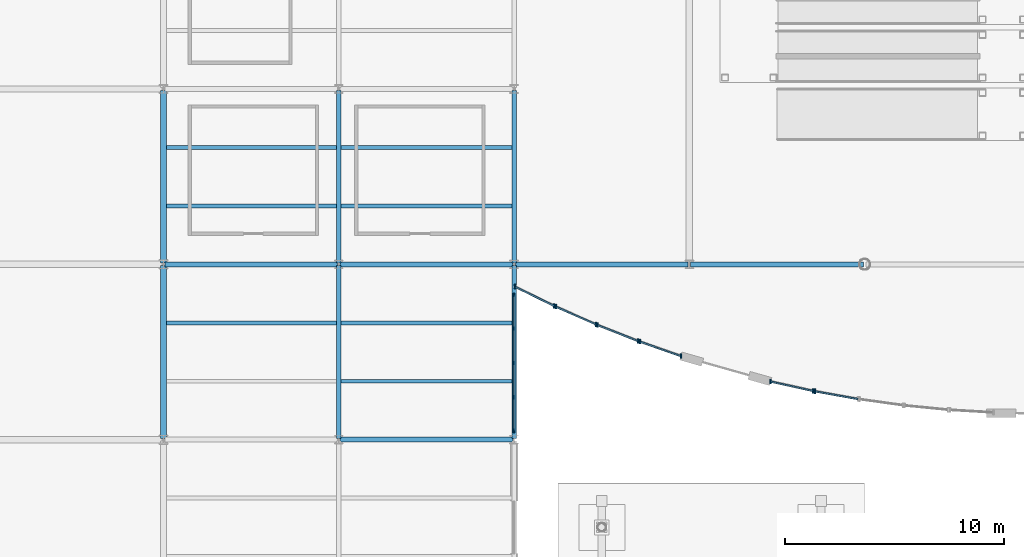
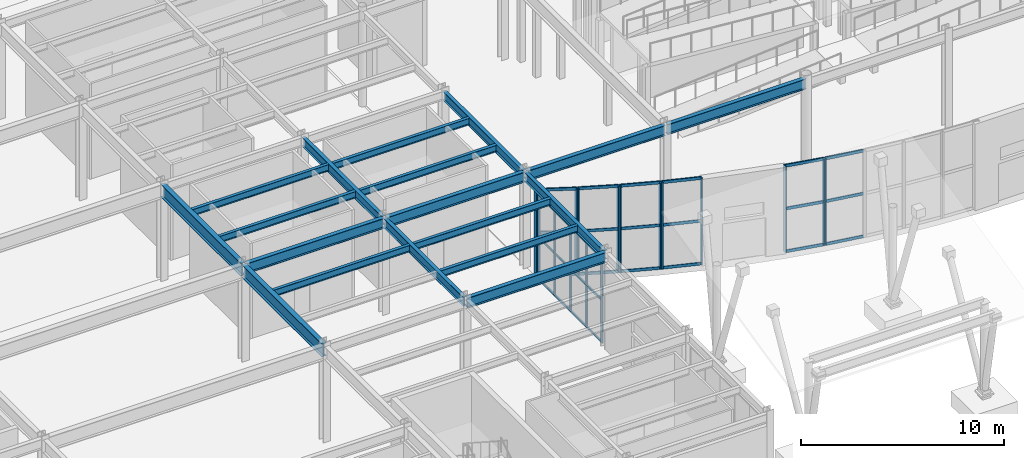
# One storey, part 30 of 82: 37 members, 18 beams, 7 elements without a shape of their own.
"""IFC4 building model written with IfcOpenShell, lengths in metres."""

from ifc_helpers import new_model, si_unit, direction, frame, origin, origin_2d, place, context, subcontext, project, spatial, rectangle, i_section, extrude, material, material_profile, profile_set, type_object, element, aggregate, save


model = new_model("IFC4")

# Units and contexts
model_context = context("Model", 3, precision=1e-05, world=origin(), true_north=direction((0.0, 1.0)))
body_context = subcontext(model_context, "Body", "Model", "MODEL_VIEW")
ifc_project = project(units=[si_unit("LENGTHUNIT", "METRE"), si_unit("AREAUNIT", "SQUARE_METRE"), si_unit("VOLUMEUNIT", "CUBIC_METRE"), si_unit("PLANEANGLEUNIT", "RADIAN"), si_unit("MASSUNIT", "GRAM", prefix="KILO")], contexts=[model_context])

# Site, building, storey
site_placement = place(None, origin())
site = spatial("IfcSite", under=ifc_project, at=site_placement, CompositionType="ELEMENT")
building_placement = place(site_placement, origin())
building = spatial("IfcBuilding", under=site, at=building_placement, Name="Drelvath Fold Interchange", CompositionType="ELEMENT")
storey_placement = place(building_placement, origin())
storey = spatial("IfcBuildingStorey", under=building, at=storey_placement, Name="L00", CompositionType="ELEMENT", Elevation=0.0)

# Beams
ifc_material_1 = material(Name="Steel ASTM A992 Grade 50", Category="steel")
ifc_material_profile_1 = material_profile(ifc_material_1, i_section(OverallWidth=0.177978515625, OverallDepth=0.403076171875, WebThickness=0.007568359375, FlangeThickness=0.010986328125, at=origin_2d()), Name="W16X36")
ifc_profile_set_1 = profile_set([ifc_material_profile_1], Name="Steel ASTM A992 Grade 50")
beam_type_1 = type_object("IfcBeamType", Name="BM-W16X36", PredefinedType="JOIST", material=ifc_profile_set_1)
for number, where, z_axis, x_axis, name in (
    (1, (36.131103515625, 24.3330078125, 5.55810546875), (1.0, 0.0, 0.0), (0.0, 1.0, 0.0), "L00 Secondary floor joist BM-W16X36"),
    (2, (36.131103515625, 29.6669921875, 5.55810546875), (1.0, 0.0, 0.0), (0.0, 1.0, 0.0), "L00 Secondary floor joist BM-W16X36"),
    (3, (36.131103515625, 32.3330078125, 5.55810546875), (1.0, 0.0, 0.0), (0.0, 1.0, 0.0), "L00 Secondary floor joist BM-W16X36"),
):
    element("IfcBeam", number, at=place(storey_placement, frame(where, z_axis=z_axis, x_axis=x_axis)), inside=storey, type_object=beam_type_1, Name=name, PredefinedType="JOIST", context=body_context, shape_type="SweptSolid", body=[
        extrude(i_section(OverallWidth=0.177978515625, OverallDepth=0.403076171875, WebThickness=0.007568359375, FlangeThickness=0.010986328125, at=origin_2d()), origin(), (0.0, 0.0, 1.0), 7.765869140625),
    ])
for number, where, z_axis, x_axis, name in (
    (4, (44.10302734375, 21.6669921875, 5.55810546875), (1.0, 0.0, 0.0), (0.0, 1.0, 0.0), "L00 Secondary floor joist BM-W16X36"),
    (5, (44.10302734375, 24.3330078125, 5.55810546875), (1.0, 0.0, 0.0), (0.0, 1.0, 0.0), "L00 Secondary floor joist BM-W16X36"),
    (6, (44.10302734375, 29.6669921875, 5.5380859375), (1.0, 0.0, 0.0), (0.0, 1.0, 0.0), "L00 Secondary floor joist BM-W16X36"),
    (7, (44.10302734375, 32.3330078125, 5.5380859375), (1.0, 0.0, 0.0), (0.0, 1.0, 0.0), "L00 Secondary floor joist BM-W16X36"),
):
    element("IfcBeam", number, at=place(storey_placement, frame(where, z_axis=z_axis, x_axis=x_axis)), inside=storey, type_object=beam_type_1, Name=name, PredefinedType="JOIST", context=body_context, shape_type="SweptSolid", body=[
        extrude(i_section(OverallWidth=0.177978515625, OverallDepth=0.403076171875, WebThickness=0.007568359375, FlangeThickness=0.010986328125, at=origin_2d()), origin(), (0.0, 0.0, 1.0), 7.7939453125),
    ])
ifc_material_profile_2 = material_profile(ifc_material_1, i_section(OverallWidth=0.2099609375, OverallDepth=0.537109375, WebThickness=0.010986328125, FlangeThickness=0.017333984375, at=origin_2d()), Name="W21X68")
ifc_profile_set_2 = profile_set([ifc_material_profile_2], Name="Steel ASTM A992 Grade 50")
beam_type_2 = type_object("IfcBeamType", Name="BM-W21X68", PredefinedType="SPANDREL", material=ifc_profile_set_2)
for number, where, z_axis, x_axis, name in (
    (8, (44.0, 19.06005859375, 5.490966796875), (0.0, 1.0, 0.0), (-1.0, 0.0, 0.0), "L00 Primary Y girder BM-W21X68"),
    (9, (44.0, 27.06005859375, 5.490966796875), (0.0, 1.0, 0.0), (-1.0, 0.0, 0.0), "L00 Primary Y girder BM-W21X68"),
    (10, (52.0, 19.06005859375, 5.470947265625), (0.0, 1.0, 0.0), (-1.0, 0.0, 0.0), "L00 Primary Y girder BM-W21X68"),
    (11, (52.0, 27.06005859375, 5.470947265625), (0.0, 1.0, 0.0), (-1.0, 0.0, 0.0), "L00 Primary Y girder BM-W21X68"),
):
    element("IfcBeam", number, at=place(storey_placement, frame(where, z_axis=z_axis, x_axis=x_axis)), inside=storey, type_object=beam_type_2, Name=name, PredefinedType="SPANDREL", context=body_context, shape_type="SweptSolid", body=[
        extrude(i_section(OverallWidth=0.2099609375, OverallDepth=0.537109375, WebThickness=0.010986328125, FlangeThickness=0.017333984375, at=origin_2d()), origin(), (0.0, 0.0, 1.0), 7.8798828125),
    ])
ifc_material_profile_3 = material_profile(ifc_material_1, i_section(OverallWidth=0.22998046875, OverallDepth=0.616943359375, WebThickness=0.01318359375, FlangeThickness=0.022216796875, at=origin_2d()), Name="W24X94")
ifc_profile_set_3 = profile_set([ifc_material_profile_3], Name="Steel ASTM A992 Grade 50")
beam_type_3 = type_object("IfcBeamType", Name="BM-W24X94", PredefinedType="BEAM", material=ifc_profile_set_3)
for number, where, z_axis, x_axis, name in (
    (12, (44.06005859375, 19.0, 5.450927734375), (1.0, 0.0, 0.0), (0.0, 1.0, 0.0), "L00 Primary X girder BM-W24X94"),
    (13, (36.06005859375, 27.0, 5.450927734375), (1.0, 0.0, 0.0), (0.0, 1.0, 0.0), "L00 Primary X girder BM-W24X94"),
    (14, (44.06005859375, 27.0, 5.430908203125), (1.0, 0.0, 0.0), (0.0, 1.0, 0.0), "L00 Primary X girder BM-W24X94"),
    (15, (52.06005859375, 27.0, 5.430908203125), (1.0, 0.0, 0.0), (0.0, 1.0, 0.0), "L00 Primary X girder BM-W24X94"),
    (16, (60.06005859375, 27.0, 5.430908203125), (1.0, 0.0, 0.0), (0.0, 1.0, 0.0), "L00 Primary X girder BM-W24X94"),
):
    element("IfcBeam", number, at=place(storey_placement, frame(where, z_axis=z_axis, x_axis=x_axis)), inside=storey, type_object=beam_type_3, Name=name, PredefinedType="BEAM", context=body_context, shape_type="SweptSolid", body=[
        extrude(i_section(OverallWidth=0.22998046875, OverallDepth=0.616943359375, WebThickness=0.01318359375, FlangeThickness=0.022216796875, at=origin_2d()), origin(), (0.0, 0.0, 1.0), 7.8798828125),
    ])
ifc_material_profile_4 = material_profile(ifc_material_1, i_section(OverallWidth=0.26611328125, OverallDepth=0.779052734375, WebThickness=0.0166015625, FlangeThickness=0.030029296875, at=origin_2d()), Name="W30X148")
ifc_profile_set_4 = profile_set([ifc_material_profile_4], Name="Steel ASTM A992 Grade 50")
beam_type_4 = type_object("IfcBeamType", Name="BM-W30X148", PredefinedType="BEAM", material=ifc_profile_set_4)
for number, where, z_axis, x_axis, name in (
    (17, (36.0, 19.06005859375, 5.3701171875), (0.0, 1.0, 0.0), (-1.0, 0.0, 0.0), "L00 Primary Y girder BM-W30X148"),
    (18, (36.0, 27.06005859375, 5.3701171875), (0.0, 1.0, 0.0), (-1.0, 0.0, 0.0), "L00 Primary Y girder BM-W30X148"),
):
    element("IfcBeam", number, at=place(storey_placement, frame(where, z_axis=z_axis, x_axis=x_axis)), inside=storey, type_object=beam_type_4, Name=name, PredefinedType="BEAM", context=body_context, shape_type="SweptSolid", body=[
        extrude(i_section(OverallWidth=0.26611328125, OverallDepth=0.779052734375, WebThickness=0.0166015625, FlangeThickness=0.030029296875, at=origin_2d()), origin(), (0.0, 0.0, 1.0), 7.8798828125),
    ])

# Curtain wall, members
ifc_material_2 = material(Name="Anodized Aluminium 6063-T6", Category="aluminium")
curtain_wall_type_1 = type_object("IfcCurtainWallType", Name="CW-OPS-L00", PredefinedType="USERDEFINED", material=ifc_material_2)
curtain_wall_1_placement = place(storey_placement, origin())
curtain_wall_1 = element("IfcCurtainWall", 19, at=curtain_wall_1_placement, inside=storey, type_object=curtain_wall_type_1, Name="Curtain wall CW-V5-L00-E19", ObjectType="UNITISED CURTAIN WALL", PredefinedType="USERDEFINED")
ifc_material_profile_5 = material_profile(ifc_material_2, rectangle(XDim=0.06005859375, YDim=0.175048828125, at=origin_2d()), Name="AL-M 60x175")
ifc_profile_set_5 = profile_set([ifc_material_profile_5], Name="Anodized Aluminium 6063-T6")
member_type_1 = type_object("IfcMemberType", Name="ML-175", PredefinedType="MULLION", material=ifc_profile_set_5)
member_1_placement = place(storey_placement, frame((52.0, 19.39990234375, 0.0), z_axis=(0.0, 0.0, 1.0), x_axis=(1.0, 0.0, 0.0)))
member_1 = element("IfcMember", 20, at=member_1_placement, type_object=member_type_1, Name="CW-V5-L00-E19 mullion 0", PredefinedType="MULLION", context=body_context, shape_type="SweptSolid", body=[
    extrude(rectangle(XDim=0.06005859375, YDim=0.175048828125, at=origin_2d()), origin(), (0.0, 0.0, 1.0), 5.10009765625),
])
member_2_placement = place(storey_placement, frame((52.0, 20.929931640625, 0.0), z_axis=(0.0, 0.0, 1.0), x_axis=(1.0, 0.0, 0.0)))
member_2 = element("IfcMember", 21, at=member_2_placement, type_object=member_type_1, Name="CW-V5-L00-E19 mullion 1", PredefinedType="MULLION", context=body_context, shape_type="SweptSolid", body=[
    extrude(rectangle(XDim=0.06005859375, YDim=0.175048828125, at=origin_2d()), origin(), (0.0, 0.0, 1.0), 5.10009765625),
])
member_3_placement = place(storey_placement, frame((52.0, 22.5, 0.0), z_axis=(0.0, 0.0, 1.0), x_axis=(1.0, 0.0, 0.0)))
member_3 = element("IfcMember", 22, at=member_3_placement, type_object=member_type_1, Name="CW-V5-L00-E19 mullion 2", PredefinedType="MULLION", context=body_context, shape_type="SweptSolid", body=[
    extrude(rectangle(XDim=0.06005859375, YDim=0.175048828125, at=origin_2d()), origin(), (0.0, 0.0, 1.0), 5.10009765625),
])
member_4_placement = place(storey_placement, frame((52.0, 24.070068359375, 0.0), z_axis=(0.0, 0.0, 1.0), x_axis=(1.0, 0.0, 0.0)))
member_4 = element("IfcMember", 23, at=member_4_placement, type_object=member_type_1, Name="CW-V5-L00-E19 mullion 3", PredefinedType="MULLION", context=body_context, shape_type="SweptSolid", body=[
    extrude(rectangle(XDim=0.06005859375, YDim=0.175048828125, at=origin_2d()), origin(), (0.0, 0.0, 1.0), 5.10009765625),
])
member_5_placement = place(storey_placement, frame((52.0, 25.60009765625, 0.0), z_axis=(0.0, 0.0, 1.0), x_axis=(1.0, 0.0, 0.0)))
member_5 = element("IfcMember", 24, at=member_5_placement, type_object=member_type_1, Name="CW-V5-L00-E19 mullion 4", PredefinedType="MULLION", context=body_context, shape_type="SweptSolid", body=[
    extrude(rectangle(XDim=0.06005859375, YDim=0.175048828125, at=origin_2d()), origin(), (0.0, 0.0, 1.0), 5.10009765625),
])

curtain_wall_type_2 = type_object("IfcCurtainWallType", Name="CW-ARC-L00", PredefinedType="USERDEFINED", material=ifc_material_2)
curtain_wall_2_placement = place(storey_placement, origin())
curtain_wall_2 = element("IfcCurtainWall", 25, at=curtain_wall_2_placement, inside=storey, type_object=curtain_wall_type_2, Name="Curtain wall CW-WH-L00-00", ObjectType="UNITISED CURTAIN WALL", PredefinedType="USERDEFINED")
ifc_material_profile_6 = material_profile(ifc_material_2, rectangle(XDim=0.070068359375, YDim=0.2099609375, at=origin_2d()), Name="AL-M 70x210")
ifc_profile_set_6 = profile_set([ifc_material_profile_6], Name="Anodized Aluminium 6063-T6")
member_type_2 = type_object("IfcMemberType", Name="ML-210", PredefinedType="MULLION", material=ifc_profile_set_6)
member_6_placement = place(storey_placement, frame((52.035888671875, 25.98193359375, 0.0), z_axis=(0.0, 0.0, 1.0), x_axis=(1.0, 0.0, 0.0)))
member_6 = element("IfcMember", 26, at=member_6_placement, type_object=member_type_2, Name="CW-WH-L00-00 mullion 0", PredefinedType="MULLION", context=body_context, shape_type="SweptSolid", body=[
    extrude(rectangle(XDim=0.070068359375, YDim=0.2099609375, at=origin_2d()), origin(), (0.0, 0.0, 1.0), 5.199951171875),
])
member_7_placement = place(storey_placement, frame((53.830078125, 25.10498046875, 0.0), z_axis=(0.0, 0.0, 1.0), x_axis=(1.0, 0.0, 0.0)))
member_7 = element("IfcMember", 27, at=member_7_placement, type_object=member_type_2, Name="CW-WH-L00-00 mullion 1", PredefinedType="MULLION", context=body_context, shape_type="SweptSolid", body=[
    extrude(rectangle(XDim=0.070068359375, YDim=0.2099609375, at=origin_2d()), origin(), (0.0, 0.0, 1.0), 5.199951171875),
])

curtain_wall_3_placement = place(storey_placement, origin())
curtain_wall_3 = element("IfcCurtainWall", 28, at=curtain_wall_3_placement, inside=storey, type_object=curtain_wall_type_2, Name="Curtain wall CW-WH-L00-01", ObjectType="UNITISED CURTAIN WALL", PredefinedType="USERDEFINED")
member_8_placement = place(storey_placement, frame((53.903076171875, 25.071044921875, 0.0), z_axis=(0.0, 0.0, 1.0), x_axis=(1.0, 0.0, 0.0)))
member_8 = element("IfcMember", 29, at=member_8_placement, type_object=member_type_2, Name="CW-WH-L00-01 mullion 0", PredefinedType="MULLION", context=body_context, shape_type="SweptSolid", body=[
    extrude(rectangle(XDim=0.070068359375, YDim=0.2099609375, at=origin_2d()), origin(), (0.0, 0.0, 1.0), 5.199951171875),
])
member_9_placement = place(storey_placement, frame((55.72900390625, 24.264892578125, 0.0), z_axis=(0.0, 0.0, 1.0), x_axis=(1.0, 0.0, 0.0)))
member_9 = element("IfcMember", 30, at=member_9_placement, type_object=member_type_2, Name="CW-WH-L00-01 mullion 1", PredefinedType="MULLION", context=body_context, shape_type="SweptSolid", body=[
    extrude(rectangle(XDim=0.070068359375, YDim=0.2099609375, at=origin_2d()), origin(), (0.0, 0.0, 1.0), 5.199951171875),
])

curtain_wall_4_placement = place(storey_placement, origin())
curtain_wall_4 = element("IfcCurtainWall", 31, at=curtain_wall_4_placement, inside=storey, type_object=curtain_wall_type_2, Name="Curtain wall CW-WH-L00-02", ObjectType="UNITISED CURTAIN WALL", PredefinedType="USERDEFINED")
member_10_placement = place(storey_placement, frame((55.802978515625, 24.23388671875, 0.0), z_axis=(0.0, 0.0, 1.0), x_axis=(1.0, 0.0, 0.0)))
member_10 = element("IfcMember", 32, at=member_10_placement, type_object=member_type_2, Name="CW-WH-L00-02 mullion 0", PredefinedType="MULLION", context=body_context, shape_type="SweptSolid", body=[
    extrude(rectangle(XDim=0.070068359375, YDim=0.2099609375, at=origin_2d()), origin(), (0.0, 0.0, 1.0), 5.199951171875),
])
member_11_placement = place(storey_placement, frame((57.660888671875, 23.5009765625, 0.0), z_axis=(0.0, 0.0, 1.0), x_axis=(1.0, 0.0, 0.0)))
member_11 = element("IfcMember", 33, at=member_11_placement, type_object=member_type_2, Name="CW-WH-L00-02 mullion 1", PredefinedType="MULLION", context=body_context, shape_type="SweptSolid", body=[
    extrude(rectangle(XDim=0.070068359375, YDim=0.2099609375, at=origin_2d()), origin(), (0.0, 0.0, 1.0), 5.199951171875),
])

curtain_wall_5_placement = place(storey_placement, origin())
curtain_wall_5 = element("IfcCurtainWall", 34, at=curtain_wall_5_placement, inside=storey, type_object=curtain_wall_type_2, Name="Curtain wall CW-WH-L00-03", ObjectType="UNITISED CURTAIN WALL", PredefinedType="USERDEFINED")
member_12_placement = place(storey_placement, frame((57.736083984375, 23.472900390625, 0.0), z_axis=(0.0, 0.0, 1.0), x_axis=(1.0, 0.0, 0.0)))
member_12 = element("IfcMember", 35, at=member_12_placement, type_object=member_type_2, Name="CW-WH-L00-03 mullion 0", PredefinedType="MULLION", context=body_context, shape_type="SweptSolid", body=[
    extrude(rectangle(XDim=0.070068359375, YDim=0.2099609375, at=origin_2d()), origin(), (0.0, 0.0, 1.0), 5.199951171875),
])
member_13_placement = place(storey_placement, frame((59.62109375, 22.81396484375, 0.0), z_axis=(0.0, 0.0, 1.0), x_axis=(1.0, 0.0, 0.0)))
member_13 = element("IfcMember", 36, at=member_13_placement, type_object=member_type_2, Name="CW-WH-L00-03 mullion 1", PredefinedType="MULLION", context=body_context, shape_type="SweptSolid", body=[
    extrude(rectangle(XDim=0.070068359375, YDim=0.2099609375, at=origin_2d()), origin(), (0.0, 0.0, 1.0), 5.199951171875),
])

curtain_wall_6_placement = place(storey_placement, origin())
curtain_wall_6 = element("IfcCurtainWall", 37, at=curtain_wall_6_placement, inside=storey, type_object=curtain_wall_type_2, Name="Curtain wall CW-WH-L00-06", ObjectType="UNITISED CURTAIN WALL", PredefinedType="USERDEFINED")
member_14_placement = place(storey_placement, frame((63.693115234375, 21.656005859375, 0.0), z_axis=(0.0, 0.0, 1.0), x_axis=(1.0, 0.0, 0.0)))
member_14 = element("IfcMember", 38, at=member_14_placement, type_object=member_type_2, Name="CW-WH-L00-06 mullion 0", PredefinedType="MULLION", context=body_context, shape_type="SweptSolid", body=[
    extrude(rectangle(XDim=0.070068359375, YDim=0.2099609375, at=origin_2d()), origin(), (0.0, 0.0, 1.0), 5.199951171875),
])
member_15_placement = place(storey_placement, frame((65.64306640625, 21.22607421875, 0.0), z_axis=(0.0, 0.0, 1.0), x_axis=(1.0, 0.0, 0.0)))
member_15 = element("IfcMember", 39, at=member_15_placement, type_object=member_type_2, Name="CW-WH-L00-06 mullion 1", PredefinedType="MULLION", context=body_context, shape_type="SweptSolid", body=[
    extrude(rectangle(XDim=0.070068359375, YDim=0.2099609375, at=origin_2d()), origin(), (0.0, 0.0, 1.0), 5.199951171875),
])

# Curtain wall, member
curtain_wall_7_placement = place(storey_placement, origin())
curtain_wall_7 = element("IfcCurtainWall", 40, at=curtain_wall_7_placement, inside=storey, type_object=curtain_wall_type_2, Name="Curtain wall CW-WH-L00-07", ObjectType="UNITISED CURTAIN WALL", PredefinedType="USERDEFINED")
member_16_placement = place(storey_placement, frame((65.720947265625, 21.2099609375, 0.0), z_axis=(0.0, 0.0, 1.0), x_axis=(1.0, 0.0, 0.0)))
member_16 = element("IfcMember", 41, at=member_16_placement, type_object=member_type_2, Name="CW-WH-L00-07 mullion 0", PredefinedType="MULLION", context=body_context, shape_type="SweptSolid", body=[
    extrude(rectangle(XDim=0.070068359375, YDim=0.2099609375, at=origin_2d()), origin(), (0.0, 0.0, 1.0), 5.199951171875),
])

# Member
ifc_material_profile_7 = material_profile(ifc_material_2, rectangle(XDim=0.06005859375, YDim=0.139892578125, at=origin_2d()), Name="AL-T 60x140")
ifc_profile_set_7 = profile_set([ifc_material_profile_7], Name="Anodized Aluminium 6063-T6")
member_type_3 = type_object("IfcMemberType", Name="TR-140", PredefinedType="USERDEFINED", material=ifc_profile_set_7)
member_17_placement = place(storey_placement, frame((52.0, 19.39990234375, 0.030029296875), z_axis=(0.0, 1.0, 0.0), x_axis=(-1.0, 0.0, 0.0)))
member_17 = element("IfcMember", 42, at=member_17_placement, type_object=member_type_3, Name="CW-V5-L00-E19 transom 0", ObjectType="TRANSOM", PredefinedType="USERDEFINED", context=body_context, shape_type="SweptSolid", body=[
    extrude(rectangle(XDim=0.06005859375, YDim=0.139892578125, at=origin_2d()), origin(), (0.0, 0.0, 1.0), 6.2001953125),
])

member_18_placement = place(storey_placement, frame((52.0, 19.39990234375, 2.550048828125), z_axis=(0.0, 1.0, 0.0), x_axis=(-1.0, 0.0, 0.0)))
member_18 = element("IfcMember", 43, at=member_18_placement, type_object=member_type_3, Name="CW-V5-L00-E19 transom 1", ObjectType="TRANSOM", PredefinedType="USERDEFINED", context=body_context, shape_type="SweptSolid", body=[
    extrude(rectangle(XDim=0.06005859375, YDim=0.139892578125, at=origin_2d()), origin(), (0.0, 0.0, 1.0), 6.2001953125),
])

member_19_placement = place(storey_placement, frame((52.0, 19.39990234375, 5.070068359375), z_axis=(0.0, 1.0, 0.0), x_axis=(-1.0, 0.0, 0.0)))
member_19 = element("IfcMember", 44, at=member_19_placement, type_object=member_type_3, Name="CW-V5-L00-E19 transom 2", ObjectType="TRANSOM", PredefinedType="USERDEFINED", context=body_context, shape_type="SweptSolid", body=[
    extrude(rectangle(XDim=0.06005859375, YDim=0.139892578125, at=origin_2d()), origin(), (0.0, 0.0, 1.0), 6.2001953125),
])

aggregate(curtain_wall_1, [member_1, member_2, member_3, member_4, member_5, member_17, member_18, member_19])

ifc_material_profile_8 = material_profile(ifc_material_2, rectangle(XDim=0.070068359375, YDim=0.169921875, at=origin_2d()), Name="AL-T 70x170")
ifc_profile_set_8 = profile_set([ifc_material_profile_8], Name="Anodized Aluminium 6063-T6")
member_type_4 = type_object("IfcMemberType", Name="TR-170", PredefinedType="USERDEFINED", material=ifc_profile_set_8)
member_20_placement = place(storey_placement, frame((52.035888671875, 25.98193359375, 0.030029296875), z_axis=(0.89842509126, -0.439126810152, 0.0), x_axis=(0.439126810152, 0.89842509126, 0.0)))
member_20 = element("IfcMember", 45, at=member_20_placement, type_object=member_type_4, Name="CW-WH-L00-00 transom 0", ObjectType="TRANSOM", PredefinedType="USERDEFINED", context=body_context, shape_type="SweptSolid", body=[
    extrude(rectangle(XDim=0.070068359375, YDim=0.169921875, at=origin_2d()), origin(), (0.0, 0.0, 1.0), 1.9970703125),
])

member_21_placement = place(storey_placement, frame((52.035888671875, 25.98193359375, 2.60009765625), z_axis=(0.89842509126, -0.439126810152, 0.0), x_axis=(0.439126810152, 0.89842509126, 0.0)))
member_21 = element("IfcMember", 46, at=member_21_placement, type_object=member_type_4, Name="CW-WH-L00-00 transom 1", ObjectType="TRANSOM", PredefinedType="USERDEFINED", context=body_context, shape_type="SweptSolid", body=[
    extrude(rectangle(XDim=0.070068359375, YDim=0.169921875, at=origin_2d()), origin(), (0.0, 0.0, 1.0), 1.9970703125),
])

member_22_placement = place(storey_placement, frame((52.035888671875, 25.98193359375, 5.169921875), z_axis=(0.89842509126, -0.439126810152, 0.0), x_axis=(0.439126810152, 0.89842509126, 0.0)))
member_22 = element("IfcMember", 47, at=member_22_placement, type_object=member_type_4, Name="CW-WH-L00-00 transom 2", ObjectType="TRANSOM", PredefinedType="USERDEFINED", context=body_context, shape_type="SweptSolid", body=[
    extrude(rectangle(XDim=0.070068359375, YDim=0.169921875, at=origin_2d()), origin(), (0.0, 0.0, 1.0), 1.9970703125),
])

aggregate(curtain_wall_2, [member_6, member_7, member_20, member_21, member_22])

member_23_placement = place(storey_placement, frame((53.903076171875, 25.071044921875, 0.030029296875), z_axis=(0.914807496294, -0.403890139425, 0.0), x_axis=(0.403890139425, 0.914807496294, 0.0)))
member_23 = element("IfcMember", 48, at=member_23_placement, type_object=member_type_4, Name="CW-WH-L00-01 transom 0", ObjectType="TRANSOM", PredefinedType="USERDEFINED", context=body_context, shape_type="SweptSolid", body=[
    extrude(rectangle(XDim=0.070068359375, YDim=0.169921875, at=origin_2d()), origin(), (0.0, 0.0, 1.0), 1.995849609375),
])

member_24_placement = place(storey_placement, frame((53.903076171875, 25.071044921875, 2.60009765625), z_axis=(0.914807496294, -0.403890139425, 0.0), x_axis=(0.403890139425, 0.914807496294, 0.0)))
member_24 = element("IfcMember", 49, at=member_24_placement, type_object=member_type_4, Name="CW-WH-L00-01 transom 1", ObjectType="TRANSOM", PredefinedType="USERDEFINED", context=body_context, shape_type="SweptSolid", body=[
    extrude(rectangle(XDim=0.070068359375, YDim=0.169921875, at=origin_2d()), origin(), (0.0, 0.0, 1.0), 1.995849609375),
])

member_25_placement = place(storey_placement, frame((53.903076171875, 25.071044921875, 5.169921875), z_axis=(0.914807496294, -0.403890139425, 0.0), x_axis=(0.403890139425, 0.914807496294, 0.0)))
member_25 = element("IfcMember", 50, at=member_25_placement, type_object=member_type_4, Name="CW-WH-L00-01 transom 2", ObjectType="TRANSOM", PredefinedType="USERDEFINED", context=body_context, shape_type="SweptSolid", body=[
    extrude(rectangle(XDim=0.070068359375, YDim=0.169921875, at=origin_2d()), origin(), (0.0, 0.0, 1.0), 1.995849609375),
])

aggregate(curtain_wall_3, [member_8, member_9, member_23, member_24, member_25])

member_26_placement = place(storey_placement, frame((55.802978515625, 24.23388671875, 0.030029296875), z_axis=(0.930236495688, -0.366960572938, 0.0), x_axis=(0.366960572938, 0.930236495688, 0.0)))
member_26 = element("IfcMember", 51, at=member_26_placement, type_object=member_type_4, Name="CW-WH-L00-02 transom 0", ObjectType="TRANSOM", PredefinedType="USERDEFINED", context=body_context, shape_type="SweptSolid", body=[
    extrude(rectangle(XDim=0.070068359375, YDim=0.169921875, at=origin_2d()), origin(), (0.0, 0.0, 1.0), 1.997314453125),
])

member_27_placement = place(storey_placement, frame((55.802978515625, 24.23388671875, 2.60009765625), z_axis=(0.930236495688, -0.366960572938, 0.0), x_axis=(0.366960572938, 0.930236495688, 0.0)))
member_27 = element("IfcMember", 52, at=member_27_placement, type_object=member_type_4, Name="CW-WH-L00-02 transom 1", ObjectType="TRANSOM", PredefinedType="USERDEFINED", context=body_context, shape_type="SweptSolid", body=[
    extrude(rectangle(XDim=0.070068359375, YDim=0.169921875, at=origin_2d()), origin(), (0.0, 0.0, 1.0), 1.997314453125),
])

member_28_placement = place(storey_placement, frame((55.802978515625, 24.23388671875, 5.169921875), z_axis=(0.930236495688, -0.366960572938, 0.0), x_axis=(0.366960572938, 0.930236495688, 0.0)))
member_28 = element("IfcMember", 53, at=member_28_placement, type_object=member_type_4, Name="CW-WH-L00-02 transom 2", ObjectType="TRANSOM", PredefinedType="USERDEFINED", context=body_context, shape_type="SweptSolid", body=[
    extrude(rectangle(XDim=0.070068359375, YDim=0.169921875, at=origin_2d()), origin(), (0.0, 0.0, 1.0), 1.997314453125),
])

aggregate(curtain_wall_4, [member_10, member_11, member_26, member_27, member_28])

member_29_placement = place(storey_placement, frame((57.736083984375, 23.472900390625, 0.030029296875), z_axis=(0.943985993954, -0.32998551971, 0.0), x_axis=(0.32998551971, 0.943985993954, 0.0)))
member_29 = element("IfcMember", 54, at=member_29_placement, type_object=member_type_4, Name="CW-WH-L00-03 transom 0", ObjectType="TRANSOM", PredefinedType="USERDEFINED", context=body_context, shape_type="SweptSolid", body=[
    extrude(rectangle(XDim=0.070068359375, YDim=0.169921875, at=origin_2d()), origin(), (0.0, 0.0, 1.0), 1.996826171875),
])

member_30_placement = place(storey_placement, frame((57.736083984375, 23.472900390625, 2.60009765625), z_axis=(0.943985993954, -0.32998551971, 0.0), x_axis=(0.32998551971, 0.943985993954, 0.0)))
member_30 = element("IfcMember", 55, at=member_30_placement, type_object=member_type_4, Name="CW-WH-L00-03 transom 1", ObjectType="TRANSOM", PredefinedType="USERDEFINED", context=body_context, shape_type="SweptSolid", body=[
    extrude(rectangle(XDim=0.070068359375, YDim=0.169921875, at=origin_2d()), origin(), (0.0, 0.0, 1.0), 1.996826171875),
])

member_31_placement = place(storey_placement, frame((57.736083984375, 23.472900390625, 5.169921875), z_axis=(0.943985993954, -0.32998551971, 0.0), x_axis=(0.32998551971, 0.943985993954, 0.0)))
member_31 = element("IfcMember", 56, at=member_31_placement, type_object=member_type_4, Name="CW-WH-L00-03 transom 2", ObjectType="TRANSOM", PredefinedType="USERDEFINED", context=body_context, shape_type="SweptSolid", body=[
    extrude(rectangle(XDim=0.070068359375, YDim=0.169921875, at=origin_2d()), origin(), (0.0, 0.0, 1.0), 1.996826171875),
])

aggregate(curtain_wall_5, [member_12, member_13, member_29, member_30, member_31])

member_32_placement = place(storey_placement, frame((63.693115234375, 21.656005859375, 0.030029296875), z_axis=(0.976545327277, -0.21531192204, 0.0), x_axis=(0.21531192204, 0.976545327277, 0.0)))
member_32 = element("IfcMember", 57, at=member_32_placement, type_object=member_type_4, Name="CW-WH-L00-06 transom 0", ObjectType="TRANSOM", PredefinedType="USERDEFINED", context=body_context, shape_type="SweptSolid", body=[
    extrude(rectangle(XDim=0.070068359375, YDim=0.169921875, at=origin_2d()), origin(), (0.0, 0.0, 1.0), 1.996826171875),
])

member_33_placement = place(storey_placement, frame((63.693115234375, 21.656005859375, 2.60009765625), z_axis=(0.976545327277, -0.21531192204, 0.0), x_axis=(0.21531192204, 0.976545327277, 0.0)))
member_33 = element("IfcMember", 58, at=member_33_placement, type_object=member_type_4, Name="CW-WH-L00-06 transom 1", ObjectType="TRANSOM", PredefinedType="USERDEFINED", context=body_context, shape_type="SweptSolid", body=[
    extrude(rectangle(XDim=0.070068359375, YDim=0.169921875, at=origin_2d()), origin(), (0.0, 0.0, 1.0), 1.996826171875),
])

member_34_placement = place(storey_placement, frame((63.693115234375, 21.656005859375, 5.169921875), z_axis=(0.976545327277, -0.21531192204, 0.0), x_axis=(0.21531192204, 0.976545327277, 0.0)))
member_34 = element("IfcMember", 59, at=member_34_placement, type_object=member_type_4, Name="CW-WH-L00-06 transom 2", ObjectType="TRANSOM", PredefinedType="USERDEFINED", context=body_context, shape_type="SweptSolid", body=[
    extrude(rectangle(XDim=0.070068359375, YDim=0.169921875, at=origin_2d()), origin(), (0.0, 0.0, 1.0), 1.996826171875),
])

aggregate(curtain_wall_6, [member_14, member_15, member_32, member_33, member_34])

member_35_placement = place(storey_placement, frame((65.720947265625, 21.2099609375, 0.030029296875), z_axis=(0.984173520882, -0.177207451295, 0.0), x_axis=(0.177207451295, 0.984173520882, 0.0)))
member_35 = element("IfcMember", 60, at=member_35_placement, type_object=member_type_4, Name="CW-WH-L00-07 transom 0", ObjectType="TRANSOM", PredefinedType="USERDEFINED", context=body_context, shape_type="SweptSolid", body=[
    extrude(rectangle(XDim=0.070068359375, YDim=0.169921875, at=origin_2d()), origin(), (0.0, 0.0, 1.0), 1.997802734375),
])

member_36_placement = place(storey_placement, frame((65.720947265625, 21.2099609375, 2.60009765625), z_axis=(0.984173520882, -0.177207451295, 0.0), x_axis=(0.177207451295, 0.984173520882, 0.0)))
member_36 = element("IfcMember", 61, at=member_36_placement, type_object=member_type_4, Name="CW-WH-L00-07 transom 1", ObjectType="TRANSOM", PredefinedType="USERDEFINED", context=body_context, shape_type="SweptSolid", body=[
    extrude(rectangle(XDim=0.070068359375, YDim=0.169921875, at=origin_2d()), origin(), (0.0, 0.0, 1.0), 1.997802734375),
])

member_37_placement = place(storey_placement, frame((65.720947265625, 21.2099609375, 5.169921875), z_axis=(0.984173520882, -0.177207451295, 0.0), x_axis=(0.177207451295, 0.984173520882, 0.0)))
member_37 = element("IfcMember", 62, at=member_37_placement, type_object=member_type_4, Name="CW-WH-L00-07 transom 2", ObjectType="TRANSOM", PredefinedType="USERDEFINED", context=body_context, shape_type="SweptSolid", body=[
    extrude(rectangle(XDim=0.070068359375, YDim=0.169921875, at=origin_2d()), origin(), (0.0, 0.0, 1.0), 1.997802734375),
])

aggregate(curtain_wall_7, [member_16, member_35, member_36, member_37])

save(model, "model.ifc")
